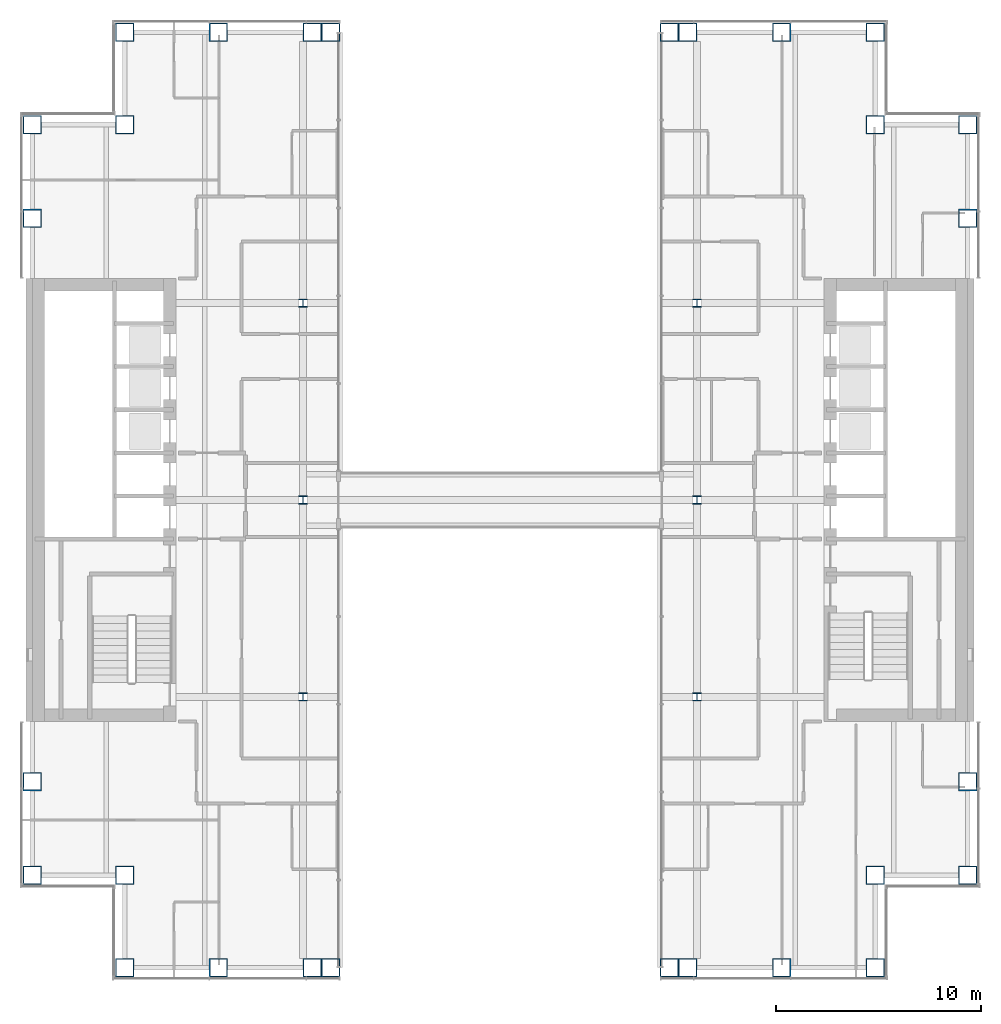
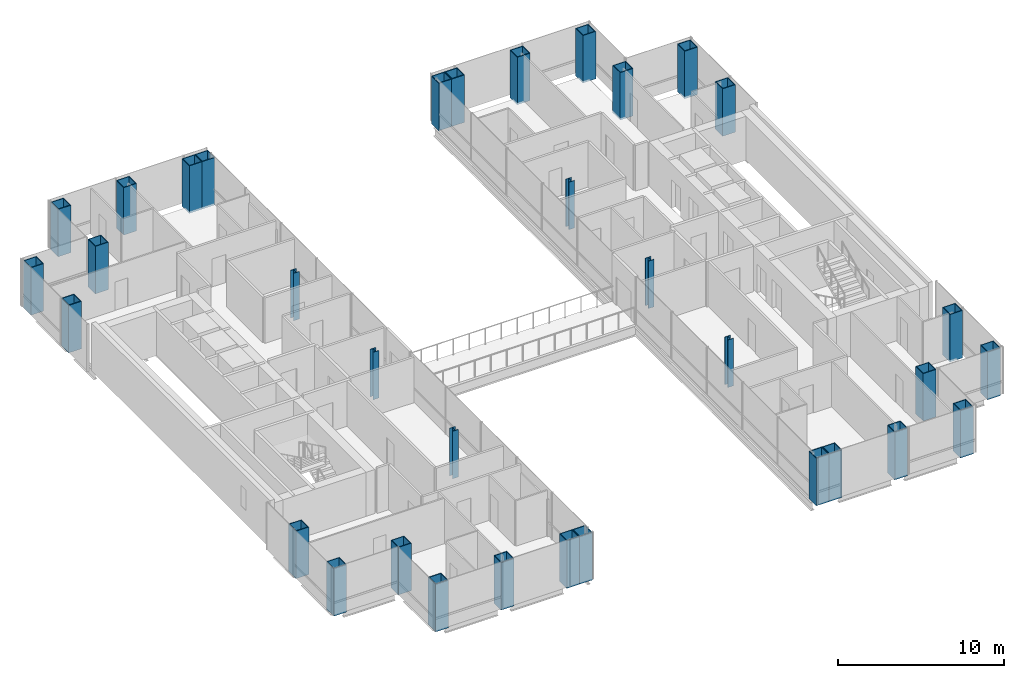
# One storey, part 1 of 16: 34 columns.
"""IFC4 building model written with IfcOpenShell, lengths in metres."""

import ifcopenshell
import ifcopenshell.guid

model = None  # the IFC model being written
_history = None  # IfcOwnerHistory: only IFC2X3 demands one
_inside = {}  # id of a spatial element -> (the spatial element, [elements in it])
_under = {}  # id of a project, library or spatial element -> (it, [spatial elements below it])
_declared = {}  # id of a project -> (the project, [libraries it declares])
_typed = {}  # id of a type object -> (the type object, [elements of that type])
_made_of = {}  # id of a material, layer set ... -> (it, [elements and type objects made of it])


def new_model(schema):
    """Start an empty IFC model of exactly this schema.

    Asked for "IFC4X3", IfcOpenShell would pick the latest addendum, in which some entities
    have other attributes; the version numbers below select the first issue.
    IFC2X3 requires an IfcOwnerHistory on every rooted entity: one is made here for all.
    """
    global model, _history
    if schema == "IFC4X3":
        model = ifcopenshell.file(schema_version=(4, 3, 0, 0))
    else:
        model = ifcopenshell.file(schema=schema)
    _inside.clear()
    _under.clear()
    _declared.clear()
    _typed.clear()
    _made_of.clear()
    _history = None
    if model.schema == "IFC2X3":
        org = make("IfcOrganization", Name="unknown")
        user = make(
            "IfcPersonAndOrganization",
            ThePerson=make("IfcPerson", FamilyName="unknown"),
            TheOrganization=org,
        )
        app = make(
            "IfcApplication",
            ApplicationDeveloper=org,
            Version="unknown",
            ApplicationFullName="unknown",
            ApplicationIdentifier="unknown",
        )
        _history = make(
            "IfcOwnerHistory",
            OwningUser=user,
            OwningApplication=app,
            ChangeAction="ADDED",
            CreationDate=0,
        )
    return model


def make(cls, **values):
    """One entity of the class cls with the attributes given. An attribute that is None is left unset."""
    return model.create_entity(
        cls, **{name: value for name, value in values.items() if value is not None}
    )


def rooted(cls, **values):
    """An entity with a GlobalId (a new one), such as an element, a storey or a relation."""
    return make(cls, GlobalId=ifcopenshell.guid.new(), OwnerHistory=_history, **values)


def si_unit(unit_type, name, prefix=None):
    """IfcSIUnit, for example si_unit("LENGTHUNIT", "METRE", prefix="MILLI")."""
    return make("IfcSIUnit", UnitType=unit_type, Prefix=prefix, Name=name)


def assignment(units):
    """IfcUnitAssignment: the units of a project."""
    return None if units is None else make("IfcUnitAssignment", Units=units)


def point(xyz):
    """IfcCartesianPoint."""
    return None if xyz is None else make("IfcCartesianPoint", Coordinates=xyz)


def direction(xyz):
    """IfcDirection."""
    return None if xyz is None else make("IfcDirection", DirectionRatios=xyz)


def frame(location, z_axis=None, x_axis=None):
    """IfcAxis2Placement3D, a coordinate frame: its origin and axes. An axis left out is left unset."""
    return make(
        "IfcAxis2Placement3D",
        Location=point(location),
        Axis=direction(z_axis),
        RefDirection=direction(x_axis),
    )


def frame_2d(location, x_axis=None):
    """IfcAxis2Placement2D, a coordinate frame in the plane: its origin and x axis."""
    return make(
        "IfcAxis2Placement2D", Location=point(location), RefDirection=direction(x_axis)
    )


def origin():
    """The frame at (0, 0, 0) with its axes left unset."""
    return frame((0.0, 0.0, 0.0))


def origin_2d():
    """The frame at (0, 0) in the plane with its x axis left unset."""
    return frame_2d((0.0, 0.0))


def place(relative_to, where):
    """IfcLocalPlacement: puts the frame where relative to a parent placement (None: the world)."""
    return make(
        "IfcLocalPlacement", PlacementRelTo=relative_to, RelativePlacement=where
    )


def context(
    kind, dimensions, precision=None, world=None, true_north=None, identifier=None
):
    """IfcGeometricRepresentationContext, for example the 3D "Model" context."""
    return make(
        "IfcGeometricRepresentationContext",
        ContextIdentifier=identifier,
        ContextType=kind,
        CoordinateSpaceDimension=dimensions,
        Precision=precision,
        WorldCoordinateSystem=world,
        TrueNorth=true_north,
    )


def subcontext(parent, identifier, kind, view, scale=None):
    """IfcGeometricRepresentationSubContext, for example "Body" below "Model"."""
    return make(
        "IfcGeometricRepresentationSubContext",
        ContextIdentifier=identifier,
        ContextType=kind,
        ParentContext=parent,
        TargetScale=scale,
        TargetView=view,
    )


def project(units=None, contexts=None):
    """IfcProject with its units and contexts."""
    return rooted(
        "IfcProject",
        Name="project",
        RepresentationContexts=contexts,
        UnitsInContext=assignment(units),
    )


def spatial(cls, under=None, at=None, **own):
    """A site, building, storey or space (cls), placed at a placement, below another one or the project."""
    s = rooted(cls, ObjectPlacement=at, **own)
    if under is not None:
        _under.setdefault(under.id(), (under, []))[1].append(s)
    return s


def profile(cls, at=None, kind="AREA", **sizes):
    """A parametric profile (cls). Its sizes go by their IFC names, for example OverallWidth=200.0."""
    return make(cls, ProfileType=kind, Position=at, **sizes)


def hollow_rectangle(**sizes):
    """IfcRectangleHollowProfileDef."""
    return profile("IfcRectangleHollowProfileDef", **sizes)


def i_section(**sizes):
    """IfcIShapeProfileDef."""
    return profile("IfcIShapeProfileDef", **sizes)


def extrude(swept, where, along, depth):
    """IfcExtrudedAreaSolid: the profile swept, set in the frame where, extruded along a direction by depth."""
    return make(
        "IfcExtrudedAreaSolid",
        SweptArea=swept,
        Position=where,
        ExtrudedDirection=direction(along),
        Depth=depth,
    )


def shape(context_of_items, identifier, shape_type, items):
    """IfcShapeRepresentation: the items that make up one representation, for example the "Body"."""
    return make(
        "IfcShapeRepresentation",
        ContextOfItems=context_of_items,
        RepresentationIdentifier=identifier,
        RepresentationType=shape_type,
        Items=items,
    )


def material(Name=None, Category=None):
    """IfcMaterial."""
    return make("IfcMaterial", Name=Name, Category=Category)


def material_profile(
    of_material, cross_section, Name=None, Category=None, Priority=None
):
    """IfcMaterialProfile: a cross section and its material."""
    return make(
        "IfcMaterialProfile",
        Name=Name,
        Material=of_material,
        Profile=cross_section,
        Priority=Priority,
        Category=Category,
    )


def profile_set(profiles, Name=None, composite=None):
    """IfcMaterialProfileSet."""
    return make(
        "IfcMaterialProfileSet",
        Name=Name,
        MaterialProfiles=profiles,
        CompositeProfile=composite,
    )


def made_of(thing, what):
    """Note that an element or type object is made of a material, layer set ...; save() writes the relation."""
    if what is not None:
        _made_of.setdefault(what.id(), (what, []))[1].append(thing)
    return thing


def type_object(cls, material=None, **own):
    """A type object (cls), such as IfcWallType, which elements share."""
    return made_of(rooted(cls, **own), material)


def element(
    cls,
    number,
    at=None,
    inside=None,
    cuts=None,
    type_object=None,
    material=None,
    context=None,
    identifier="Body",
    shape_type=None,
    held_by="IfcProductDefinitionShape",
    body=None,
    shapes=None,
    **own,
):
    """One element of the class cls, such as IfcWall. Its Tag is "e" and its number.

    at: its placement. inside: the storey or other place that contains it. cuts: it is an
    opening in that element (IfcRelVoidsElement). A single representation is given by context,
    identifier, shape_type and body (its items); several are given by shapes. held_by: the class
    of the entity that holds the representations. save() writes the other relations.
    """
    e = rooted(cls, Tag="e%d" % number, ObjectPlacement=at, **own)
    if body is not None:
        shapes = [shape(context, identifier, shape_type, body)]
    if shapes is not None:
        e.Representation = make(held_by, Representations=shapes)
    if inside is not None:
        _inside.setdefault(inside.id(), (inside, []))[1].append(e)
    if cuts is not None:
        rooted(
            "IfcRelVoidsElement", RelatingBuildingElement=cuts, RelatedOpeningElement=e
        )
    if type_object is not None:
        _typed.setdefault(type_object.id(), (type_object, []))[1].append(e)
    return made_of(e, material)


def aggregate(whole, parts):
    """IfcRelAggregates: a whole, such as a stair, and the parts it consists of."""
    return rooted("IfcRelAggregates", RelatingObject=whole, RelatedObjects=parts)


def save(model, path):
    """Write the relations noted so far, then the file.

    IfcRelAggregates (storeys below a building ...), IfcRelContainedInSpatialStructure (elements
    in a storey), IfcRelDefinesByType, IfcRelAssociatesMaterial and IfcRelDeclares: one each for
    every whole, place, type object, material and project.
    """
    for whole, parts in _under.values():
        aggregate(whole, parts)
    for where, things in _inside.values():
        rooted(
            "IfcRelContainedInSpatialStructure",
            RelatedElements=things,
            RelatingStructure=where,
        )
    for kind, things in _typed.values():
        rooted("IfcRelDefinesByType", RelatedObjects=things, RelatingType=kind)
    for what, things in _made_of.values():
        rooted("IfcRelAssociatesMaterial", RelatedObjects=things, RelatingMaterial=what)
    for by, libraries in _declared.values():
        rooted("IfcRelDeclares", RelatingContext=by, RelatedDefinitions=libraries)
    model.write(path)


model = new_model("IFC4")

# Units and contexts
model_context = context("Model", 3, precision=1e-05, world=origin(), true_north=direction((0.0, 1.0)))
body_context = subcontext(model_context, "Body", "Model", "MODEL_VIEW")
ifc_project = project(units=[si_unit("LENGTHUNIT", "METRE"), si_unit("AREAUNIT", "SQUARE_METRE"), si_unit("VOLUMEUNIT", "CUBIC_METRE"), si_unit("PLANEANGLEUNIT", "RADIAN"), si_unit("MASSUNIT", "GRAM", prefix="KILO")], contexts=[model_context])

# Site, building, storey
site_placement = place(None, origin())
site = spatial("IfcSite", under=ifc_project, at=site_placement, CompositionType="ELEMENT")
building_placement = place(site_placement, origin())
building = spatial("IfcBuilding", under=site, at=building_placement, Name="Cobrizo Arcos Hotel Tower", CompositionType="ELEMENT")
storey_placement = place(building_placement, frame((0.0, 0.0, 127.5)))
storey = spatial("IfcBuildingStorey", under=building, at=storey_placement, Name="L32", CompositionType="ELEMENT", Elevation=127.5)

# Columns
ifc_material_1 = material(Name="Steel ASTM A572 Grade 50", Category="steel")
ifc_material_profile_1 = material_profile(ifc_material_1, hollow_rectangle(XDim=0.89990234375, YDim=0.89990234375, WallThickness=0.050048828125, at=origin_2d()), Name="BOX 900X900X50")
ifc_profile_set_1 = profile_set([ifc_material_profile_1], Name="Steel ASTM A572 Grade 50")
column_type_1 = type_object("IfcColumnType", Name="BOX 900X900X50 column", PredefinedType="COLUMN", material=ifc_profile_set_1)
for number, where, z_axis, x_axis, name in (
    (1, (-18.300048828125, 22.800048828125, -0.14990234375), (0.0, 0.0, 1.0), (1.0, 0.0, 0.0), "Perimeter column C6, L32, no. 00"),
    (2, (-18.300048828125, -22.800048828125, -0.14990234375), (0.0, 0.0, 1.0), (1.0, 0.0, 0.0), "Perimeter column C6, L32, no. 01"),
    (3, (-13.72509765625, 22.800048828125, -0.14990234375), (0.0, 0.0, 1.0), (1.0, 0.0, 0.0), "Perimeter column C6, L32, no. 02"),
    (4, (-13.72509765625, -22.800048828125, -0.14990234375), (0.0, 0.0, 1.0), (1.0, 0.0, 0.0), "Perimeter column C6, L32, no. 03"),
    (5, (-9.14990234375, 22.800048828125, -0.14990234375), (0.0, 0.0, 1.0), (1.0, 0.0, 0.0), "Perimeter column C6, L32, no. 04"),
    (6, (-9.14990234375, -22.800048828125, -0.14990234375), (0.0, 0.0, 1.0), (1.0, 0.0, 0.0), "Perimeter column C6, L32, no. 05"),
    (7, (9.14990234375, 22.800048828125, -0.14990234375), (0.0, 0.0, 1.0), (1.0, 0.0, 0.0), "Perimeter column C6, L32, no. 06"),
    (8, (9.14990234375, -22.800048828125, -0.14990234375), (0.0, 0.0, 1.0), (1.0, 0.0, 0.0), "Perimeter column C6, L32, no. 07"),
    (9, (13.72509765625, 22.800048828125, -0.14990234375), (0.0, 0.0, 1.0), (1.0, 0.0, 0.0), "Perimeter column C6, L32, no. 08"),
    (10, (13.72509765625, -22.800048828125, -0.14990234375), (0.0, 0.0, 1.0), (1.0, 0.0, 0.0), "Perimeter column C6, L32, no. 09"),
    (11, (18.300048828125, 22.800048828125, -0.14990234375), (0.0, 0.0, 1.0), (1.0, 0.0, 0.0), "Perimeter column C6, L32, no. 10"),
    (12, (18.300048828125, -22.800048828125, -0.14990234375), (0.0, 0.0, 1.0), (1.0, 0.0, 0.0), "Perimeter column C6, L32, no. 11"),
    (13, (22.800048828125, -18.300048828125, -0.14990234375), (0.0, 0.0, 1.0), (1.0, 0.0, 0.0), "Perimeter column C6, L32, no. 12"),
    (14, (-22.800048828125, -18.300048828125, -0.14990234375), (0.0, 0.0, 1.0), (1.0, 0.0, 0.0), "Perimeter column C6, L32, no. 13"),
    (15, (22.800048828125, -13.72509765625, -0.14990234375), (0.0, 0.0, 1.0), (1.0, 0.0, 0.0), "Perimeter column C6, L32, no. 14"),
    (16, (-22.800048828125, -13.72509765625, -0.14990234375), (0.0, 0.0, 1.0), (1.0, 0.0, 0.0), "Perimeter column C6, L32, no. 15"),
    (17, (22.800048828125, 13.72509765625, -0.14990234375), (0.0, 0.0, 1.0), (1.0, 0.0, 0.0), "Perimeter column C6, L32, no. 16"),
    (18, (-22.800048828125, 13.72509765625, -0.14990234375), (0.0, 0.0, 1.0), (1.0, 0.0, 0.0), "Perimeter column C6, L32, no. 17"),
    (19, (22.800048828125, 18.300048828125, -0.14990234375), (0.0, 0.0, 1.0), (1.0, 0.0, 0.0), "Perimeter column C6, L32, no. 18"),
    (20, (-22.800048828125, 18.300048828125, -0.14990234375), (0.0, 0.0, 1.0), (1.0, 0.0, 0.0), "Perimeter column C6, L32, no. 19"),
    (21, (-18.300048828125, -18.300048828125, -0.14990234375), (0.0, 0.0, 1.0), (1.0, 0.0, 0.0), "Perimeter column C6, L32, no. 20"),
    (22, (-18.300048828125, 18.300048828125, -0.14990234375), (0.0, 0.0, 1.0), (1.0, 0.0, 0.0), "Perimeter column C6, L32, no. 21"),
    (23, (18.300048828125, -18.300048828125, -0.14990234375), (0.0, 0.0, 1.0), (1.0, 0.0, 0.0), "Perimeter column C6, L32, no. 22"),
    (24, (18.300048828125, 18.300048828125, -0.14990234375), (0.0, 0.0, 1.0), (1.0, 0.0, 0.0), "Perimeter column C6, L32, no. 23"),
    (25, (-8.25, 22.800048828125, -0.14990234375), (0.0, 0.0, 1.0), (1.0, 0.0, 0.0), "Perimeter column C6, L32, no. 24"),
    (26, (-8.25, -22.800048828125, -0.14990234375), (0.0, 0.0, 1.0), (1.0, 0.0, 0.0), "Perimeter column C6, L32, no. 25"),
    (27, (8.25, 22.800048828125, -0.14990234375), (0.0, 0.0, 1.0), (1.0, 0.0, 0.0), "Perimeter column C6, L32, no. 26"),
    (28, (8.25, -22.800048828125, -0.14990234375), (0.0, 0.0, 1.0), (1.0, 0.0, 0.0), "Perimeter column C6, L32, no. 27"),
):
    element("IfcColumn", number, at=place(storey_placement, frame(where, z_axis=z_axis, x_axis=x_axis)), inside=storey, type_object=column_type_1, Name=name, PredefinedType="COLUMN", context=body_context, shape_type="SweptSolid", body=[
        extrude(hollow_rectangle(XDim=0.89990234375, YDim=0.89990234375, WallThickness=0.050048828125, at=origin_2d()), origin(), (0.0, 0.0, 1.0), 3.5),
    ])
ifc_material_2 = material(Name="Steel ASTM A992 Grade 50", Category="steel")
ifc_material_profile_2 = material_profile(ifc_material_2, i_section(OverallWidth=0.398681640625, OverallDepth=0.393798828125, WebThickness=0.022705078125, FlangeThickness=0.03662109375, at=origin_2d()), Name="W14X193")
ifc_profile_set_2 = profile_set([ifc_material_profile_2], Name="Steel ASTM A992 Grade 50")
column_type_2 = type_object("IfcColumnType", Name="W14X193 interior column", PredefinedType="COLUMN", material=ifc_profile_set_2)
for number, where, z_axis, x_axis, name in (
    (29, (-9.60009765625, -9.60009765625, -0.14990234375), (0.0, 0.0, 1.0), (1.0, 0.0, 0.0), "Interior column C7, L32, no. 00"),
    (30, (-9.60009765625, 0.0, -0.14990234375), (0.0, 0.0, 1.0), (1.0, 0.0, 0.0), "Interior column C7, L32, no. 01"),
    (31, (-9.60009765625, 9.60009765625, -0.14990234375), (0.0, 0.0, 1.0), (1.0, 0.0, 0.0), "Interior column C7, L32, no. 02"),
    (32, (9.60009765625, -9.60009765625, -0.14990234375), (0.0, 0.0, 1.0), (1.0, 0.0, 0.0), "Interior column C7, L32, no. 03"),
    (33, (9.60009765625, 0.0, -0.14990234375), (0.0, 0.0, 1.0), (1.0, 0.0, 0.0), "Interior column C7, L32, no. 04"),
    (34, (9.60009765625, 9.60009765625, -0.14990234375), (0.0, 0.0, 1.0), (1.0, 0.0, 0.0), "Interior column C7, L32, no. 05"),
):
    element("IfcColumn", number, at=place(storey_placement, frame(where, z_axis=z_axis, x_axis=x_axis)), inside=storey, type_object=column_type_2, Name=name, PredefinedType="COLUMN", context=body_context, shape_type="SweptSolid", body=[
        extrude(i_section(OverallWidth=0.398681640625, OverallDepth=0.393798828125, WebThickness=0.022705078125, FlangeThickness=0.03662109375, at=origin_2d()), origin(), (0.0, 0.0, 1.0), 3.5),
    ])

save(model, "model.ifc")
